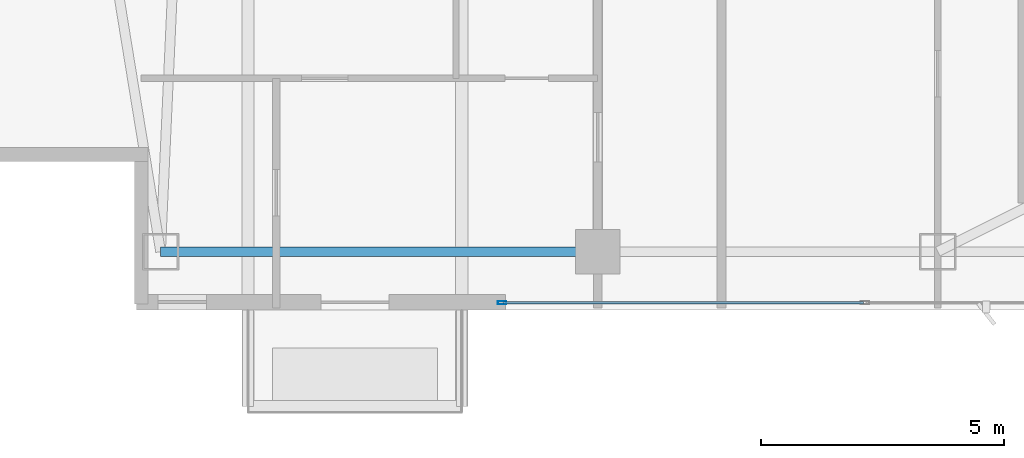
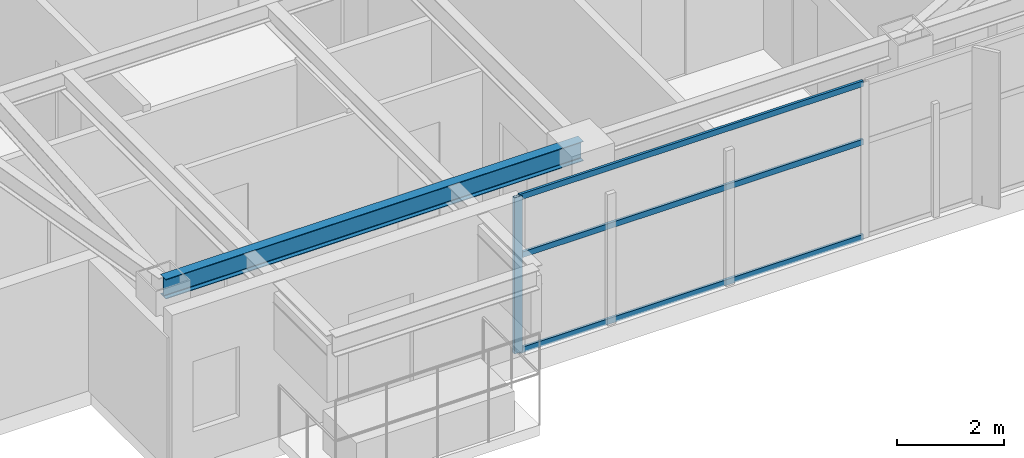
# One storey, part 3 of 28: 4 members, 1 beam, 1 element without a shape of its own.
"""IFC4 building model written with IfcOpenShell, lengths in metres."""

import ifcopenshell
import ifcopenshell.guid

model = None  # the IFC model being written
_history = None  # IfcOwnerHistory: only IFC2X3 demands one
_inside = {}  # id of a spatial element -> (the spatial element, [elements in it])
_under = {}  # id of a project, library or spatial element -> (it, [spatial elements below it])
_declared = {}  # id of a project -> (the project, [libraries it declares])
_typed = {}  # id of a type object -> (the type object, [elements of that type])
_made_of = {}  # id of a material, layer set ... -> (it, [elements and type objects made of it])


def new_model(schema):
    """Start an empty IFC model of exactly this schema.

    Asked for "IFC4X3", IfcOpenShell would pick the latest addendum, in which some entities
    have other attributes; the version numbers below select the first issue.
    IFC2X3 requires an IfcOwnerHistory on every rooted entity: one is made here for all.
    """
    global model, _history
    if schema == "IFC4X3":
        model = ifcopenshell.file(schema_version=(4, 3, 0, 0))
    else:
        model = ifcopenshell.file(schema=schema)
    _inside.clear()
    _under.clear()
    _declared.clear()
    _typed.clear()
    _made_of.clear()
    _history = None
    if model.schema == "IFC2X3":
        org = make("IfcOrganization", Name="unknown")
        user = make(
            "IfcPersonAndOrganization",
            ThePerson=make("IfcPerson", FamilyName="unknown"),
            TheOrganization=org,
        )
        app = make(
            "IfcApplication",
            ApplicationDeveloper=org,
            Version="unknown",
            ApplicationFullName="unknown",
            ApplicationIdentifier="unknown",
        )
        _history = make(
            "IfcOwnerHistory",
            OwningUser=user,
            OwningApplication=app,
            ChangeAction="ADDED",
            CreationDate=0,
        )
    return model


def make(cls, **values):
    """One entity of the class cls with the attributes given. An attribute that is None is left unset."""
    return model.create_entity(
        cls, **{name: value for name, value in values.items() if value is not None}
    )


def rooted(cls, **values):
    """An entity with a GlobalId (a new one), such as an element, a storey or a relation."""
    return make(cls, GlobalId=ifcopenshell.guid.new(), OwnerHistory=_history, **values)


def si_unit(unit_type, name, prefix=None):
    """IfcSIUnit, for example si_unit("LENGTHUNIT", "METRE", prefix="MILLI")."""
    return make("IfcSIUnit", UnitType=unit_type, Prefix=prefix, Name=name)


def assignment(units):
    """IfcUnitAssignment: the units of a project."""
    return None if units is None else make("IfcUnitAssignment", Units=units)


def point(xyz):
    """IfcCartesianPoint."""
    return None if xyz is None else make("IfcCartesianPoint", Coordinates=xyz)


def direction(xyz):
    """IfcDirection."""
    return None if xyz is None else make("IfcDirection", DirectionRatios=xyz)


def frame(location, z_axis=None, x_axis=None):
    """IfcAxis2Placement3D, a coordinate frame: its origin and axes. An axis left out is left unset."""
    return make(
        "IfcAxis2Placement3D",
        Location=point(location),
        Axis=direction(z_axis),
        RefDirection=direction(x_axis),
    )


def frame_2d(location, x_axis=None):
    """IfcAxis2Placement2D, a coordinate frame in the plane: its origin and x axis."""
    return make(
        "IfcAxis2Placement2D", Location=point(location), RefDirection=direction(x_axis)
    )


def origin():
    """The frame at (0, 0, 0) with its axes left unset."""
    return frame((0.0, 0.0, 0.0))


def origin_2d():
    """The frame at (0, 0) in the plane with its x axis left unset."""
    return frame_2d((0.0, 0.0))


def place(relative_to, where):
    """IfcLocalPlacement: puts the frame where relative to a parent placement (None: the world)."""
    return make(
        "IfcLocalPlacement", PlacementRelTo=relative_to, RelativePlacement=where
    )


def context(
    kind, dimensions, precision=None, world=None, true_north=None, identifier=None
):
    """IfcGeometricRepresentationContext, for example the 3D "Model" context."""
    return make(
        "IfcGeometricRepresentationContext",
        ContextIdentifier=identifier,
        ContextType=kind,
        CoordinateSpaceDimension=dimensions,
        Precision=precision,
        WorldCoordinateSystem=world,
        TrueNorth=true_north,
    )


def subcontext(parent, identifier, kind, view, scale=None):
    """IfcGeometricRepresentationSubContext, for example "Body" below "Model"."""
    return make(
        "IfcGeometricRepresentationSubContext",
        ContextIdentifier=identifier,
        ContextType=kind,
        ParentContext=parent,
        TargetScale=scale,
        TargetView=view,
    )


def project(units=None, contexts=None):
    """IfcProject with its units and contexts."""
    return rooted(
        "IfcProject",
        Name="project",
        RepresentationContexts=contexts,
        UnitsInContext=assignment(units),
    )


def spatial(cls, under=None, at=None, **own):
    """A site, building, storey or space (cls), placed at a placement, below another one or the project."""
    s = rooted(cls, ObjectPlacement=at, **own)
    if under is not None:
        _under.setdefault(under.id(), (under, []))[1].append(s)
    return s


def profile(cls, at=None, kind="AREA", **sizes):
    """A parametric profile (cls). Its sizes go by their IFC names, for example OverallWidth=200.0."""
    return make(cls, ProfileType=kind, Position=at, **sizes)


def hollow_rectangle(**sizes):
    """IfcRectangleHollowProfileDef."""
    return profile("IfcRectangleHollowProfileDef", **sizes)


def i_section(**sizes):
    """IfcIShapeProfileDef."""
    return profile("IfcIShapeProfileDef", **sizes)


def extrude(swept, where, along, depth):
    """IfcExtrudedAreaSolid: the profile swept, set in the frame where, extruded along a direction by depth."""
    return make(
        "IfcExtrudedAreaSolid",
        SweptArea=swept,
        Position=where,
        ExtrudedDirection=direction(along),
        Depth=depth,
    )


def shape(context_of_items, identifier, shape_type, items):
    """IfcShapeRepresentation: the items that make up one representation, for example the "Body"."""
    return make(
        "IfcShapeRepresentation",
        ContextOfItems=context_of_items,
        RepresentationIdentifier=identifier,
        RepresentationType=shape_type,
        Items=items,
    )


def material(Name=None, Category=None):
    """IfcMaterial."""
    return make("IfcMaterial", Name=Name, Category=Category)


def layer(
    of_material, thickness, ventilated=None, Name=None, Category=None, Priority=None
):
    """IfcMaterialLayer: one layer of a wall or slab, of a material (None: an air gap)."""
    return make(
        "IfcMaterialLayer",
        Material=of_material,
        LayerThickness=thickness,
        IsVentilated=ventilated,
        Name=Name,
        Category=Category,
        Priority=Priority,
    )


def layer_set(layers, Name=None):
    """IfcMaterialLayerSet."""
    return make("IfcMaterialLayerSet", MaterialLayers=layers, LayerSetName=Name)


def material_profile(
    of_material, cross_section, Name=None, Category=None, Priority=None
):
    """IfcMaterialProfile: a cross section and its material."""
    return make(
        "IfcMaterialProfile",
        Name=Name,
        Material=of_material,
        Profile=cross_section,
        Priority=Priority,
        Category=Category,
    )


def profile_set(profiles, Name=None, composite=None):
    """IfcMaterialProfileSet."""
    return make(
        "IfcMaterialProfileSet",
        Name=Name,
        MaterialProfiles=profiles,
        CompositeProfile=composite,
    )


def made_of(thing, what):
    """Note that an element or type object is made of a material, layer set ...; save() writes the relation."""
    if what is not None:
        _made_of.setdefault(what.id(), (what, []))[1].append(thing)
    return thing


def type_object(cls, material=None, **own):
    """A type object (cls), such as IfcWallType, which elements share."""
    return made_of(rooted(cls, **own), material)


def element(
    cls,
    number,
    at=None,
    inside=None,
    cuts=None,
    type_object=None,
    material=None,
    context=None,
    identifier="Body",
    shape_type=None,
    held_by="IfcProductDefinitionShape",
    body=None,
    shapes=None,
    **own,
):
    """One element of the class cls, such as IfcWall. Its Tag is "e" and its number.

    at: its placement. inside: the storey or other place that contains it. cuts: it is an
    opening in that element (IfcRelVoidsElement). A single representation is given by context,
    identifier, shape_type and body (its items); several are given by shapes. held_by: the class
    of the entity that holds the representations. save() writes the other relations.
    """
    e = rooted(cls, Tag="e%d" % number, ObjectPlacement=at, **own)
    if body is not None:
        shapes = [shape(context, identifier, shape_type, body)]
    if shapes is not None:
        e.Representation = make(held_by, Representations=shapes)
    if inside is not None:
        _inside.setdefault(inside.id(), (inside, []))[1].append(e)
    if cuts is not None:
        rooted(
            "IfcRelVoidsElement", RelatingBuildingElement=cuts, RelatedOpeningElement=e
        )
    if type_object is not None:
        _typed.setdefault(type_object.id(), (type_object, []))[1].append(e)
    return made_of(e, material)


def aggregate(whole, parts):
    """IfcRelAggregates: a whole, such as a stair, and the parts it consists of."""
    return rooted("IfcRelAggregates", RelatingObject=whole, RelatedObjects=parts)


def save(model, path):
    """Write the relations noted so far, then the file.

    IfcRelAggregates (storeys below a building ...), IfcRelContainedInSpatialStructure (elements
    in a storey), IfcRelDefinesByType, IfcRelAssociatesMaterial and IfcRelDeclares: one each for
    every whole, place, type object, material and project.
    """
    for whole, parts in _under.values():
        aggregate(whole, parts)
    for where, things in _inside.values():
        rooted(
            "IfcRelContainedInSpatialStructure",
            RelatedElements=things,
            RelatingStructure=where,
        )
    for kind, things in _typed.values():
        rooted("IfcRelDefinesByType", RelatedObjects=things, RelatingType=kind)
    for what, things in _made_of.values():
        rooted("IfcRelAssociatesMaterial", RelatedObjects=things, RelatingMaterial=what)
    for by, libraries in _declared.values():
        rooted("IfcRelDeclares", RelatingContext=by, RelatedDefinitions=libraries)
    model.write(path)


model = new_model("IFC4")

# Units and contexts
model_context = context("Model", 3, precision=1e-05, world=origin(), true_north=direction((0.0, 1.0)))
body_context = subcontext(model_context, "Body", "Model", "MODEL_VIEW")
ifc_project = project(units=[si_unit("LENGTHUNIT", "METRE"), si_unit("AREAUNIT", "SQUARE_METRE"), si_unit("VOLUMEUNIT", "CUBIC_METRE"), si_unit("PLANEANGLEUNIT", "RADIAN"), si_unit("MASSUNIT", "GRAM", prefix="KILO")], contexts=[model_context])

# Site, building, storey
site_placement = place(None, origin())
site = spatial("IfcSite", under=ifc_project, at=site_placement, CompositionType="ELEMENT")
building_placement = place(site_placement, origin())
building = spatial("IfcBuilding", under=site, at=building_placement, Name="Calvorn Quay Hotel", CompositionType="ELEMENT")
storey_placement = place(building_placement, frame((0.0, 0.0, 263.5)))
storey = spatial("IfcBuildingStorey", under=building, at=storey_placement, Name="L65", CompositionType="ELEMENT", Elevation=263.5)

# Beam
ifc_material_1 = material(Name="Steel Q355B", Category="steel")
ifc_material_profile_1 = material_profile(ifc_material_1, i_section(OverallWidth=0.199951171875, OverallDepth=0.449951171875, WebThickness=0.009033203125, FlangeThickness=0.013916015625, FilletRadius=0.01611328125, at=origin_2d()), Name="HN450x200x9x14")
ifc_profile_set_1 = profile_set([ifc_material_profile_1], Name="Steel Q355B")
beam_type = type_object("IfcBeamType", Name="BM-SPANDREL-Z3", PredefinedType="SPANDREL", material=ifc_profile_set_1)
beam_placement = place(storey_placement, frame((3.60009765625, 3.60009765625, 3.31494140625), z_axis=(1.0, 0.0, 0.0), x_axis=(0.0, 1.0, 0.0)))
element("IfcBeam", 1, at=beam_placement, inside=storey, type_object=beam_type, Name="Beam BSP-L65-S1", PredefinedType="SPANDREL", context=body_context, shape_type="SweptSolid", body=[
    extrude(i_section(OverallWidth=0.199951171875, OverallDepth=0.449951171875, WebThickness=0.009033203125, FlangeThickness=0.013916015625, FilletRadius=0.01611328125, at=origin_2d()), origin(), (0.0, 0.0, 1.0), 9.0),
])

# Curtain wall, members
ifc_material_2 = material(Name="Champagne Bronze Anodised Aluminium and Low-E Glass", Category="aluminium")
ifc_layer = layer(ifc_material_2, 0.219970703125)
ifc_layer_set = layer_set([ifc_layer], Name="CW-SYS-Z4")
curtain_wall_type = type_object("IfcCurtainWallType", Name="CW-SYS-Z4", PredefinedType="NOTDEFINED", material=ifc_layer_set)
curtain_wall_placement = place(storey_placement, origin())
curtain_wall = element("IfcCurtainWall", 2, at=curtain_wall_placement, inside=storey, type_object=curtain_wall_type, Name="Tower South Waterfront Curtain Wall (L65)", PredefinedType="NOTDEFINED")
ifc_material_3 = material(Name="Champagne Bronze Anodised Aluminium 6063-T6", Category="aluminium")
ifc_material_profile_2 = material_profile(ifc_material_3, hollow_rectangle(XDim=0.06494140625, YDim=0.169921875, WallThickness=0.00341796875, at=origin_2d()), Name="ALU-M170x65x3.5")
ifc_profile_set_2 = profile_set([ifc_material_profile_2], Name="Champagne Bronze Anodised Aluminium 6063-T6")
member_type_1 = type_object("IfcMemberType", Name="CW-SYS-Z4-MUL", PredefinedType="MULLION", material=ifc_profile_set_2)
member_1_placement = place(storey_placement, frame((10.6298828125, 2.550048828125, 0.0), z_axis=(0.0, 0.0, 1.0), x_axis=(0.0, 1.0, 0.0)))
member_1 = element("IfcMember", 3, at=member_1_placement, type_object=member_type_1, Name="CW-L65-S mullion 1", PredefinedType="MULLION", context=body_context, shape_type="SweptSolid", body=[
    extrude(hollow_rectangle(XDim=0.06494140625, YDim=0.169921875, WallThickness=0.00341796875, at=origin_2d()), origin(), (0.0, 0.0, 1.0), 3.56005859375),
])
ifc_material_4 = material(Name="Champagne Bronze Anodised Aluminium 6063-T6", Category="aluminium")
ifc_material_profile_3 = material_profile(ifc_material_4, hollow_rectangle(XDim=0.054931640625, YDim=0.1298828125, WallThickness=0.003173828125, at=origin_2d()), Name="ALU-T130x55x3.2")
ifc_profile_set_3 = profile_set([ifc_material_profile_3], Name="Champagne Bronze Anodised Aluminium 6063-T6")
member_type_2 = type_object("IfcMemberType", Name="CW-SYS-Z4-TRN", PredefinedType="USERDEFINED", material=ifc_profile_set_3)
member_2_placement = place(storey_placement, frame((10.659912109375, 2.550048828125, 0.030029296875), z_axis=(1.0, 0.0, 0.0), x_axis=(0.0, 1.0, 0.0)))
member_2 = element("IfcMember", 4, at=member_2_placement, type_object=member_type_2, Name="CW-L65-S transom 1.1", ObjectType="TRANSOM", PredefinedType="USERDEFINED", context=body_context, shape_type="SweptSolid", body=[
    extrude(hollow_rectangle(XDim=0.054931640625, YDim=0.1298828125, WallThickness=0.003173828125, at=origin_2d()), origin(), (0.0, 0.0, 1.0), 7.41015625),
])
member_3_placement = place(storey_placement, frame((10.659912109375, 2.550048828125, 2.199951171875), z_axis=(1.0, 0.0, 0.0), x_axis=(0.0, 1.0, 0.0)))
member_3 = element("IfcMember", 5, at=member_3_placement, type_object=member_type_2, Name="CW-L65-S transom 1.2", ObjectType="TRANSOM", PredefinedType="USERDEFINED", context=body_context, shape_type="SweptSolid", body=[
    extrude(hollow_rectangle(XDim=0.054931640625, YDim=0.1298828125, WallThickness=0.003173828125, at=origin_2d()), origin(), (0.0, 0.0, 1.0), 7.41015625),
])
member_4_placement = place(storey_placement, frame((10.659912109375, 2.550048828125, 3.530029296875), z_axis=(1.0, 0.0, 0.0), x_axis=(0.0, 1.0, 0.0)))
member_4 = element("IfcMember", 6, at=member_4_placement, type_object=member_type_2, Name="CW-L65-S transom 1.3", ObjectType="TRANSOM", PredefinedType="USERDEFINED", context=body_context, shape_type="SweptSolid", body=[
    extrude(hollow_rectangle(XDim=0.054931640625, YDim=0.1298828125, WallThickness=0.003173828125, at=origin_2d()), origin(), (0.0, 0.0, 1.0), 7.41015625),
])
aggregate(curtain_wall, [member_1, member_2, member_3, member_4])

save(model, "model.ifc")
